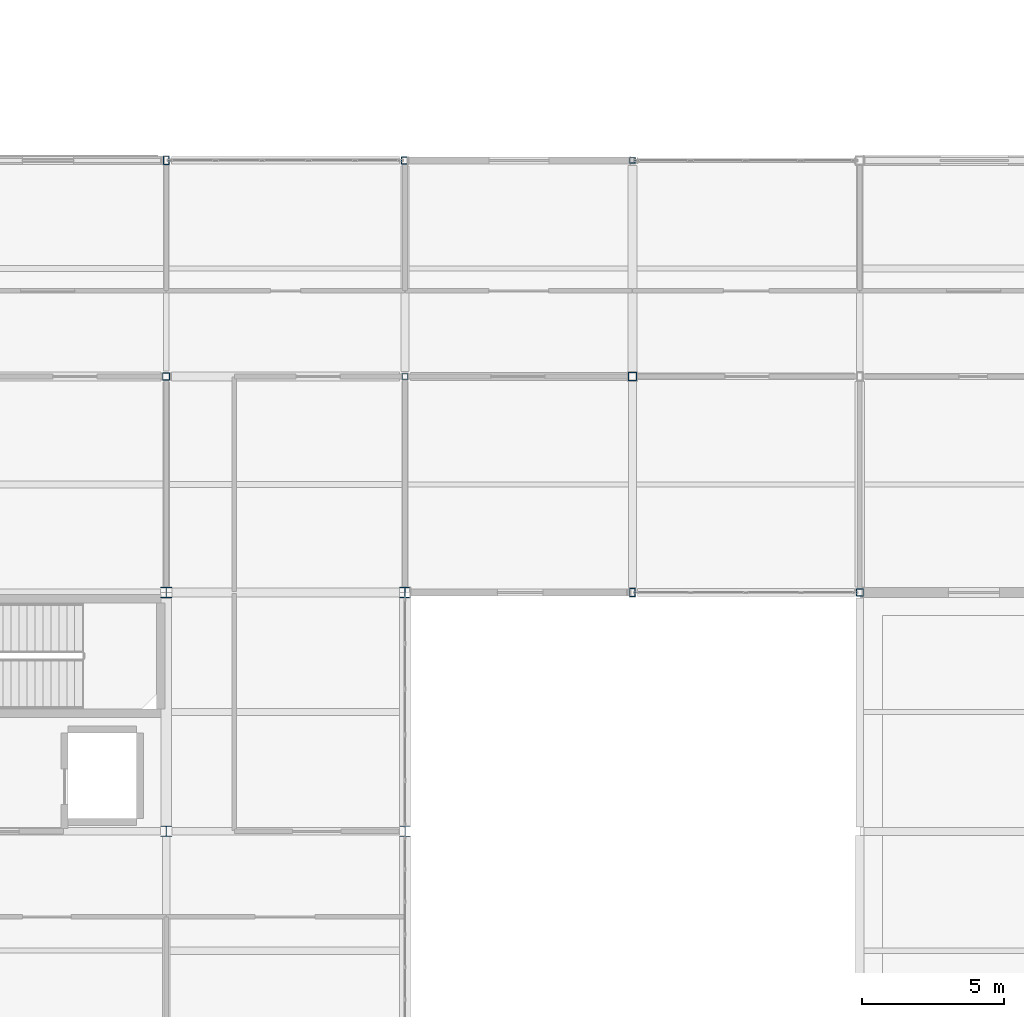
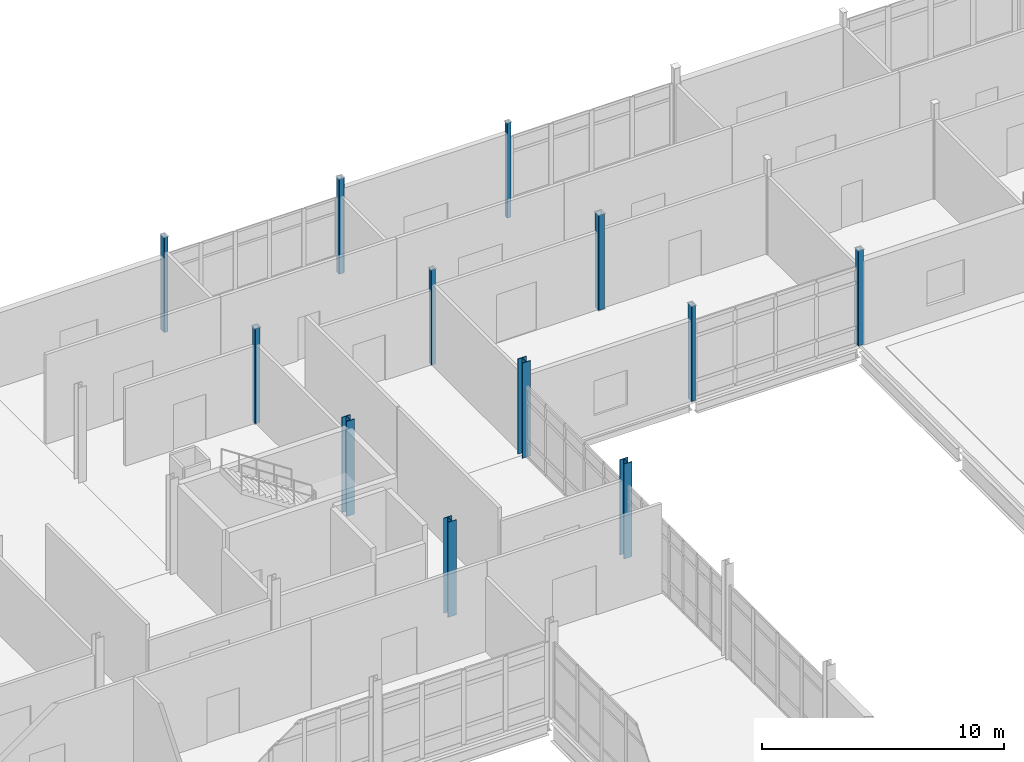
# One storey, part 8 of 186: 12 columns.
"""IFC4 building model written with IfcOpenShell, lengths in metres."""

from ifc_helpers import new_model, si_unit, direction, frame, origin, origin_2d, place, context, subcontext, project, spatial, hollow_rectangle, i_section, extrude, material, material_profile, profile_set, type_object, element, save


model = new_model("IFC4")

# Units and contexts
model_context = context("Model", 3, precision=1e-05, world=origin(), true_north=direction((0.0, 1.0)))
body_context = subcontext(model_context, "Body", "Model", "MODEL_VIEW")
ifc_project = project(units=[si_unit("LENGTHUNIT", "METRE"), si_unit("AREAUNIT", "SQUARE_METRE"), si_unit("VOLUMEUNIT", "CUBIC_METRE"), si_unit("PLANEANGLEUNIT", "RADIAN"), si_unit("MASSUNIT", "GRAM", prefix="KILO")], contexts=[model_context])

# Site, building, storey
site_placement = place(None, origin())
site = spatial("IfcSite", under=ifc_project, at=site_placement, CompositionType="ELEMENT")
building_placement = place(site_placement, origin())
building = spatial("IfcBuilding", under=site, at=building_placement, Name="Calvrana Isthmian Art Gallery", CompositionType="ELEMENT")
storey_placement = place(building_placement, frame((0.0, 0.0, 5.39990234375)))
storey = spatial("IfcBuildingStorey", under=building, at=storey_placement, Name="L01", CompositionType="ELEMENT", Elevation=5.39990234375)

# Columns
ifc_material_1 = material(Name="Steel ASTM A500 Gr C", Category="steel")
ifc_material_profile_1 = material_profile(ifc_material_1, hollow_rectangle(XDim=0.203125, YDim=0.203125, WallThickness=0.0126953125, OuterFilletRadius=0.02490234375, at=origin_2d()), Name="HSS203X203X12.7")
ifc_profile_set_1 = profile_set([ifc_material_profile_1], Name="Steel ASTM A500 Gr C")
column_type_1 = type_object("IfcColumnType", Name="COL-STL-HSS203X203X12.7", PredefinedType="COLUMN", material=ifc_profile_set_1)
for number, where, z_axis, x_axis, name in (
    (1, (80.39990234375, 54.39990234375, 0.0), (0.0, 0.0, 1.0), (1.0, 0.0, 0.0), "Column 11/H L01"),
    (2, (88.39990234375, 62.0, 0.0), (0.0, 0.0, 1.0), (1.0, 0.0, 0.0), "Column 12/I L01"),
):
    element("IfcColumn", number, at=place(storey_placement, frame(where, z_axis=z_axis, x_axis=x_axis)), inside=storey, type_object=column_type_1, Name=name, PredefinedType="COLUMN", context=body_context, shape_type="SweptSolid", body=[
        extrude(hollow_rectangle(XDim=0.203125, YDim=0.203125, WallThickness=0.0126953125, OuterFilletRadius=0.02490234375, at=origin_2d()), origin(), (0.0, 0.0, 1.0), 4.800048828125),
    ])
ifc_material_profile_2 = material_profile(ifc_material_1, hollow_rectangle(XDim=0.25390625, YDim=0.25390625, WallThickness=0.0126953125, OuterFilletRadius=0.02490234375, at=origin_2d()), Name="HSS254X254X12.7")
ifc_profile_set_2 = profile_set([ifc_material_profile_2], Name="Steel ASTM A500 Gr C")
column_type_2 = type_object("IfcColumnType", Name="COL-STL-HSS254X254X12.7", PredefinedType="COLUMN", material=ifc_profile_set_2)
for number, where, z_axis, x_axis, name in (
    (3, (72.0, 54.39990234375, 0.0), (0.0, 0.0, 1.0), (1.0, 0.0, 0.0), "Column 10/H L01"),
    (4, (80.39990234375, 62.0, 0.0), (0.0, 0.0, 1.0), (1.0, 0.0, 0.0), "Column 11/I L01"),
    (5, (96.39990234375, 46.800048828125, 0.0), (0.0, 0.0, 1.0), (1.0, 0.0, 0.0), "Column 13/G L01"),
):
    element("IfcColumn", number, at=place(storey_placement, frame(where, z_axis=z_axis, x_axis=x_axis)), inside=storey, type_object=column_type_2, Name=name, PredefinedType="COLUMN", context=body_context, shape_type="SweptSolid", body=[
        extrude(hollow_rectangle(XDim=0.25390625, YDim=0.25390625, WallThickness=0.0126953125, OuterFilletRadius=0.02490234375, at=origin_2d()), origin(), (0.0, 0.0, 1.0), 4.800048828125),
    ])
ifc_material_profile_3 = material_profile(ifc_material_1, hollow_rectangle(XDim=0.203125, YDim=0.3046875, WallThickness=0.0126953125, OuterFilletRadius=0.02490234375, at=origin_2d()), Name="HSS305X203X12.7")
ifc_profile_set_3 = profile_set([ifc_material_profile_3], Name="Steel ASTM A500 Gr C")
column_type_3 = type_object("IfcColumnType", Name="COL-STL-HSS305X203X12.7", PredefinedType="COLUMN", material=ifc_profile_set_3)
for number, where, z_axis, x_axis, name in (
    (6, (72.0, 62.0, 0.0), (0.0, 0.0, 1.0), (1.0, 0.0, 0.0), "Column 10/I L01"),
    (7, (88.39990234375, 46.800048828125, 0.0), (0.0, 0.0, 1.0), (1.0, 0.0, 0.0), "Column 12/G L01"),
):
    element("IfcColumn", number, at=place(storey_placement, frame(where, z_axis=z_axis, x_axis=x_axis)), inside=storey, type_object=column_type_3, Name=name, PredefinedType="COLUMN", context=body_context, shape_type="SweptSolid", body=[
        extrude(hollow_rectangle(XDim=0.203125, YDim=0.3046875, WallThickness=0.0126953125, OuterFilletRadius=0.02490234375, at=origin_2d()), origin(), (0.0, 0.0, 1.0), 4.800048828125),
    ])
ifc_material_profile_4 = material_profile(ifc_material_1, hollow_rectangle(XDim=0.3046875, YDim=0.3046875, WallThickness=0.015869140625, OuterFilletRadius=0.031982421875, at=origin_2d()), Name="HSS305X305X15.9")
ifc_profile_set_4 = profile_set([ifc_material_profile_4], Name="Steel ASTM A500 Gr C")
column_type_4 = type_object("IfcColumnType", Name="COL-STL-HSS305X305X15.9", PredefinedType="COLUMN", material=ifc_profile_set_4)
column_1_placement = place(storey_placement, frame((88.39990234375, 54.39990234375, 0.0), z_axis=(0.0, 0.0, 1.0), x_axis=(1.0, 0.0, 0.0)))
element("IfcColumn", 8, at=column_1_placement, inside=storey, type_object=column_type_4, Name="Column 12/H L01", PredefinedType="COLUMN", context=body_context, shape_type="SweptSolid", body=[
    extrude(hollow_rectangle(XDim=0.3046875, YDim=0.3046875, WallThickness=0.015869140625, OuterFilletRadius=0.031982421875, at=origin_2d()), origin(), (0.0, 0.0, 1.0), 4.800048828125),
])
ifc_material_2 = material(Name="Steel ASTM A992 Gr 50", Category="steel")
ifc_material_profile_5 = material_profile(ifc_material_2, i_section(OverallWidth=0.39404296875, OverallDepth=0.3759765625, WebThickness=0.017333984375, FlangeThickness=0.027587890625, FilletRadius=0.02490234375, at=origin_2d()), Name="W14X145")
ifc_profile_set_5 = profile_set([ifc_material_profile_5], Name="Steel ASTM A992 Gr 50")
column_type_5 = type_object("IfcColumnType", Name="COL-STL-W14X145", PredefinedType="COLUMN", material=ifc_profile_set_5)
column_2_placement = place(storey_placement, frame((80.39990234375, 38.39990234375, 0.0), z_axis=(0.0, 0.0, 1.0), x_axis=(1.0, 0.0, 0.0)))
element("IfcColumn", 9, at=column_2_placement, inside=storey, type_object=column_type_5, Name="Column 11/F L01", PredefinedType="COLUMN", context=body_context, shape_type="SweptSolid", body=[
    extrude(i_section(OverallWidth=0.39404296875, OverallDepth=0.3759765625, WebThickness=0.017333984375, FlangeThickness=0.027587890625, FilletRadius=0.02490234375, at=origin_2d()), origin(), (0.0, 0.0, 1.0), 4.800048828125),
])
ifc_material_profile_6 = material_profile(ifc_material_2, i_section(OverallWidth=0.39599609375, OverallDepth=0.381103515625, WebThickness=0.018798828125, FlangeThickness=0.0302734375, FilletRadius=0.02490234375, at=origin_2d()), Name="W14X159")
ifc_profile_set_6 = profile_set([ifc_material_profile_6], Name="Steel ASTM A992 Gr 50")
column_type_6 = type_object("IfcColumnType", Name="COL-STL-W14X159", PredefinedType="COLUMN", material=ifc_profile_set_6)
for number, where, z_axis, x_axis, name in (
    (10, (72.0, 38.39990234375, 0.0), (0.0, 0.0, 1.0), (1.0, 0.0, 0.0), "Column 10/F L01"),
    (11, (80.39990234375, 46.800048828125, 0.0), (0.0, 0.0, 1.0), (1.0, 0.0, 0.0), "Column 11/G L01"),
):
    element("IfcColumn", number, at=place(storey_placement, frame(where, z_axis=z_axis, x_axis=x_axis)), inside=storey, type_object=column_type_6, Name=name, PredefinedType="COLUMN", context=body_context, shape_type="SweptSolid", body=[
        extrude(i_section(OverallWidth=0.39599609375, OverallDepth=0.381103515625, WebThickness=0.018798828125, FlangeThickness=0.0302734375, FilletRadius=0.02490234375, at=origin_2d()), origin(), (0.0, 0.0, 1.0), 4.800048828125),
    ])
ifc_material_profile_7 = material_profile(ifc_material_2, i_section(OverallWidth=0.39892578125, OverallDepth=0.385986328125, WebThickness=0.02099609375, FlangeThickness=0.033203125, FilletRadius=0.02490234375, at=origin_2d()), Name="W14X176")
ifc_profile_set_7 = profile_set([ifc_material_profile_7], Name="Steel ASTM A992 Gr 50")
column_type_7 = type_object("IfcColumnType", Name="COL-STL-W14X176", PredefinedType="COLUMN", material=ifc_profile_set_7)
column_3_placement = place(storey_placement, frame((72.0, 46.800048828125, 0.0), z_axis=(0.0, 0.0, 1.0), x_axis=(1.0, 0.0, 0.0)))
element("IfcColumn", 12, at=column_3_placement, inside=storey, type_object=column_type_7, Name="Column 10/G L01", PredefinedType="COLUMN", context=body_context, shape_type="SweptSolid", body=[
    extrude(i_section(OverallWidth=0.39892578125, OverallDepth=0.385986328125, WebThickness=0.02099609375, FlangeThickness=0.033203125, FilletRadius=0.02490234375, at=origin_2d()), origin(), (0.0, 0.0, 1.0), 4.800048828125),
])

save(model, "model.ifc")
